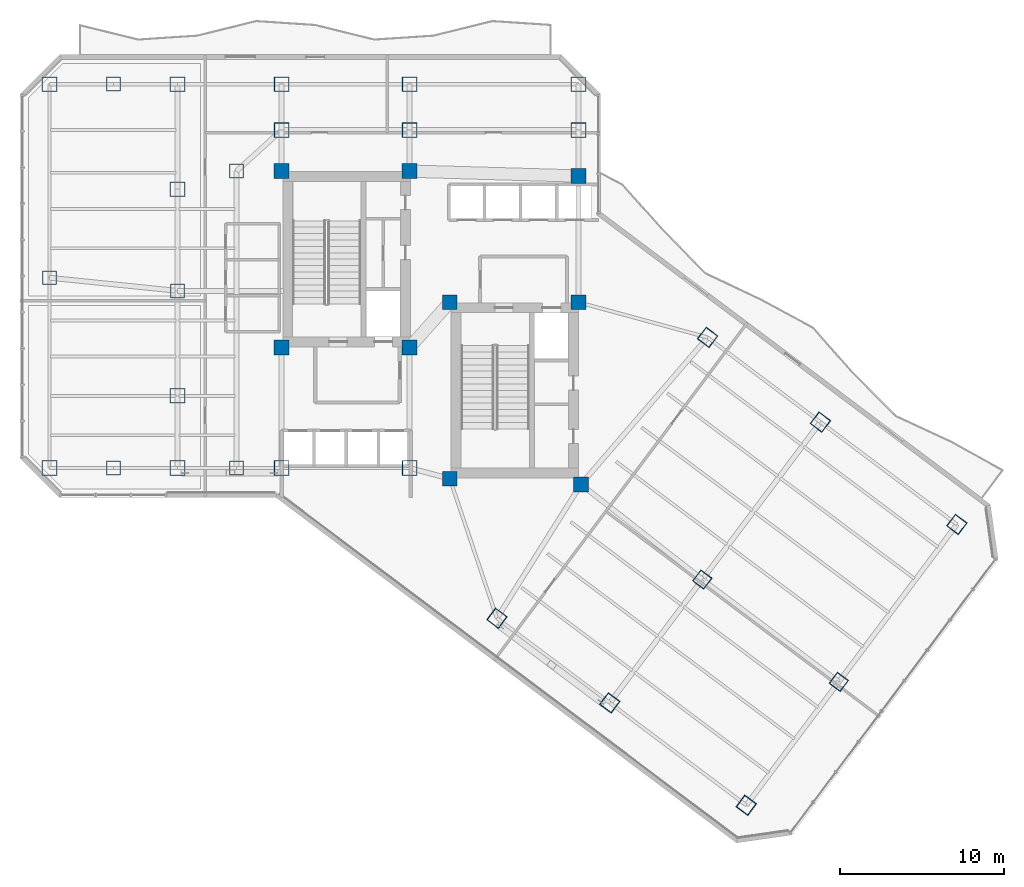
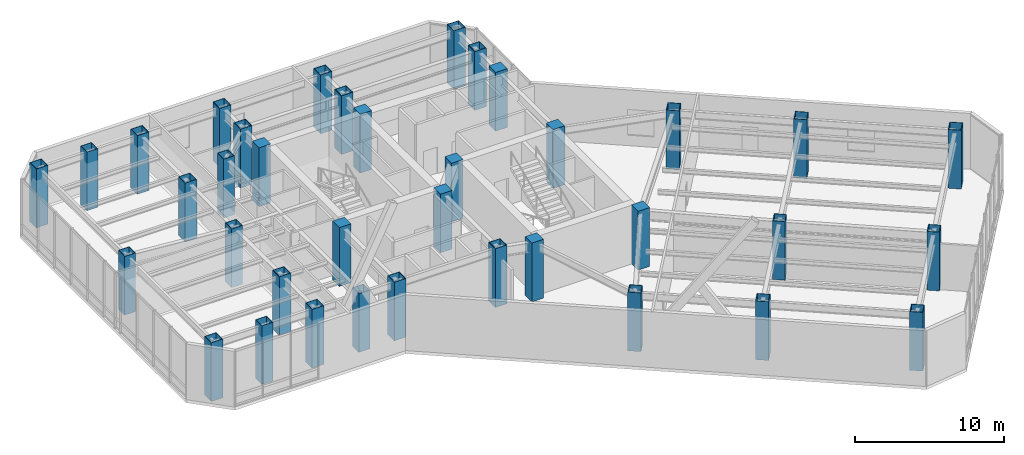
# One storey, part 1 of 27: 37 columns.
"""IFC4 building model written with IfcOpenShell, lengths in metres."""

from ifc_helpers import new_model, si_unit, direction, frame, origin, origin_2d, place, context, subcontext, project, spatial, rectangle, hollow_rectangle, extrude, material, material_profile, profile_set, type_object, element, save


model = new_model("IFC4")

# Units and contexts
model_context = context("Model", 3, precision=1e-05, world=origin(), true_north=direction((0.0, 1.0)))
body_context = subcontext(model_context, "Body", "Model", "MODEL_VIEW")
ifc_project = project(units=[si_unit("LENGTHUNIT", "METRE"), si_unit("AREAUNIT", "SQUARE_METRE"), si_unit("VOLUMEUNIT", "CUBIC_METRE"), si_unit("PLANEANGLEUNIT", "RADIAN"), si_unit("MASSUNIT", "GRAM", prefix="KILO")], contexts=[model_context])

# Site, building, storey
site_placement = place(None, origin())
site = spatial("IfcSite", under=ifc_project, at=site_placement, CompositionType="ELEMENT")
building_placement = place(site_placement, origin())
building = spatial("IfcBuilding", under=site, at=building_placement, Name="Hatsunagi Terrace Concourse", CompositionType="ELEMENT")
storey_placement = place(building_placement, frame((0.0, 0.0, 96.449951171875)))
storey = spatial("IfcBuildingStorey", under=building, at=storey_placement, Name="L25", CompositionType="ELEMENT", Elevation=96.449951171875)

# Columns
ifc_material_1 = material(Name="Concrete Fc48", Category="concrete")
ifc_material_profile_1 = material_profile(ifc_material_1, rectangle(XDim=0.89990234375, YDim=0.89990234375, at=origin_2d()), Name="RC-900x900")
ifc_profile_set_1 = profile_set([ifc_material_profile_1], Name="Concrete Fc48")
column_type_1 = type_object("IfcColumnType", Name="CoreColumn_RC_900x900", PredefinedType="COLUMN", material=ifc_profile_set_1)
for number, where, z_axis, x_axis, name in (
    (1, (25.550048828125, 32.550048828125, 0.0), (0.0, 0.0, 1.0), (1.0, 0.0, 0.0), "Column C-02 L25-CASW"),
    (2, (33.35009765625, 32.550048828125, 0.0), (0.0, 0.0, 1.0), (1.0, 0.0, 0.0), "Column C-02 L25-CASE"),
    (3, (25.550048828125, 43.300048828125, 0.0), (0.0, 0.0, 1.0), (1.0, 0.0, 0.0), "Column C-02 L25-CANW"),
    (4, (33.35009765625, 43.300048828125, 0.0), (0.0, 0.0, 1.0), (1.0, 0.0, 0.0), "Column C-02 L25-CANE"),
    (5, (35.800048828125, 24.550048828125, 0.0), (0.0, 0.0, 1.0), (1.0, 0.0, 0.0), "Column C-02 L25-CBSW"),
    (6, (43.800048828125, 24.199951171875, 0.0), (0.0, 0.0, 1.0), (1.0, 0.0, 0.0), "Column C-02 L25-CBSE"),
    (7, (35.800048828125, 35.300048828125, 0.0), (0.0, 0.0, 1.0), (1.0, 0.0, 0.0), "Column C-02 L25-CBNW"),
    (8, (43.64990234375, 35.300048828125, 0.0), (0.0, 0.0, 1.0), (1.0, 0.0, 0.0), "Column C-02 L25-CBNE"),
    (9, (43.64990234375, 43.0, 0.0), (0.0, 0.0, 1.0), (1.0, 0.0, 0.0), "Column C-02 L25-K3"),
):
    element("IfcColumn", number, at=place(storey_placement, frame(where, z_axis=z_axis, x_axis=x_axis)), inside=storey, type_object=column_type_1, Name=name, PredefinedType="COLUMN", context=body_context, shape_type="SweptSolid", body=[
        extrude(rectangle(XDim=0.89990234375, YDim=0.89990234375, at=origin_2d()), origin(), (0.0, 0.0, 1.0), 4.800048828125),
    ])
ifc_material_2 = material(Name="Steel BCP325T", Category="steel")
ifc_material_profile_2 = material_profile(ifc_material_2, hollow_rectangle(XDim=0.85009765625, YDim=0.85009765625, WallThickness=0.031982421875, at=origin_2d()), Name="BCP-850x850x32")
ifc_profile_set_2 = profile_set([ifc_material_profile_2], Name="Steel BCP325T")
column_type_2 = type_object("IfcColumnType", Name="TowerBoxColumn_850x850x32", PredefinedType="COLUMN", material=ifc_profile_set_2)
for number, where, z_axis, x_axis, name in (
    (10, (22.800048828125, 25.199951171875, 0.0), (0.0, 0.0, 1.0), (1.0, 0.0, 0.0), "Column C-05 L25-CW1"),
    (11, (22.800048828125, 43.300048828125, 0.0), (0.0, 0.0, 1.0), (1.0, 0.0, 0.0), "Column C-05 L25-CW2"),
    (12, (11.39990234375, 36.800048828125, 0.0), (0.0, 0.0, 1.0), (1.0, 0.0, 0.0), "Column C-05 L25-WT1"),
    (13, (19.199951171875, 36.0, 0.0), (0.0, 0.0, 1.0), (1.0, 0.0, 0.0), "Column C-05 L25-WT2"),
    (14, (15.300048828125, 25.199951171875, 0.0), (0.0, 0.0, 1.0), (1.0, 0.0, 0.0), "Column C-05 L25-WT3"),
    (15, (15.300048828125, 48.60009765625, 0.0), (0.0, 0.0, 1.0), (1.0, 0.0, 0.0), "Column C-05 L25-WT4"),
    (16, (51.199951171875, 18.39990234375, 0.0), (0.0, 0.0, 1.0), (0.799999996291, -0.600000004945, 0.0), "Column C-05 L25-SEM2"),
    (17, (59.52001953125, 12.159912109375, 0.0), (0.0, 0.0, 1.0), (0.799999996291, -0.600000004945, 0.0), "Column C-05 L25-SEM3"),
):
    element("IfcColumn", number, at=place(storey_placement, frame(where, z_axis=z_axis, x_axis=x_axis)), inside=storey, type_object=column_type_2, Name=name, PredefinedType="COLUMN", context=body_context, shape_type="SweptSolid", body=[
        extrude(hollow_rectangle(XDim=0.85009765625, YDim=0.85009765625, WallThickness=0.031982421875, at=origin_2d()), origin(), (0.0, 0.0, 1.0), 4.800048828125),
    ])
ifc_material_3 = material(Name="Steel BCP325T", Category="steel")
ifc_material_profile_3 = material_profile(ifc_material_3, hollow_rectangle(XDim=0.89990234375, YDim=0.89990234375, WallThickness=0.035888671875, at=origin_2d()), Name="BCP-900x900x36")
ifc_profile_set_3 = profile_set([ifc_material_profile_3], Name="Steel BCP325T")
column_type_3 = type_object("IfcColumnType", Name="TowerBoxColumn_900x900x36", PredefinedType="COLUMN", material=ifc_profile_set_3)
for number, where, z_axis, x_axis, name in (
    (18, (25.550048828125, 25.199951171875, 0.0), (0.0, 0.0, 1.0), (1.0, 0.0, 0.0), "Column C-04 L25-K1"),
    (19, (33.35009765625, 25.199951171875, 0.0), (0.0, 0.0, 1.0), (1.0, 0.0, 0.0), "Column C-04 L25-K2"),
    (20, (25.550048828125, 45.800048828125, 0.0), (0.0, 0.0, 1.0), (1.0, 0.0, 0.0), "Column C-04 L25-CN1"),
    (21, (33.35009765625, 45.800048828125, 0.0), (0.0, 0.0, 1.0), (1.0, 0.0, 0.0), "Column C-04 L25-CN2"),
    (22, (43.64990234375, 45.800048828125, 0.0), (0.0, 0.0, 1.0), (1.0, 0.0, 0.0), "Column C-04 L25-CN3"),
    (23, (11.39990234375, 25.199951171875, 0.0), (0.0, 0.0, 1.0), (1.0, 0.0, 0.0), "Column C-04 L25-WS2"),
    (24, (11.39990234375, 48.60009765625, 0.0), (0.0, 0.0, 1.0), (1.0, 0.0, 0.0), "Column C-04 L25-WN2"),
    (25, (19.199951171875, 48.60009765625, 0.0), (0.0, 0.0, 1.0), (1.0, 0.0, 0.0), "Column C-04 L25-WN3"),
    (26, (25.550048828125, 48.60009765625, 0.0), (0.0, 0.0, 1.0), (1.0, 0.0, 0.0), "Column C-04 L25-WN4"),
    (27, (33.35009765625, 48.60009765625, 0.0), (0.0, 0.0, 1.0), (1.0, 0.0, 0.0), "Column C-04 L25-WN5"),
    (28, (43.64990234375, 48.60009765625, 0.0), (0.0, 0.0, 1.0), (1.0, 0.0, 0.0), "Column C-04 L25-WN6"),
    (29, (19.199951171875, 25.199951171875, 0.0), (0.0, 0.0, 1.0), (1.0, 0.0, 0.0), "Column C-04 L25-WS3"),
    (30, (19.199951171875, 29.60009765625, 0.0), (0.0, 0.0, 1.0), (1.0, 0.0, 0.0), "Column C-04 L25-WR1"),
    (31, (19.199951171875, 42.199951171875, 0.0), (0.0, 0.0, 1.0), (1.0, 0.0, 0.0), "Column C-04 L25-WR2"),
    (32, (38.679931640625, 16.0400390625, 0.0), (0.0, 0.0, 1.0), (0.799999996291, -0.600000004945, 0.0), "Column C-04 L25-SES1"),
    (33, (51.52001953125, 33.159912109375, 0.0), (0.0, 0.0, 1.0), (0.799999996291, -0.600000004945, 0.0), "Column C-04 L25-SEN1"),
    (34, (45.56005859375, 10.8798828125, 0.0), (0.0, 0.0, 1.0), (0.799999996291, -0.600000004945, 0.0), "Column C-04 L25-SES2"),
    (35, (58.39990234375, 28.0, 0.0), (0.0, 0.0, 1.0), (0.799999996291, -0.600000004945, 0.0), "Column C-04 L25-SEN2"),
    (36, (53.8798828125, 4.639892578125, 0.0), (0.0, 0.0, 1.0), (0.799999996291, -0.600000004945, 0.0), "Column C-04 L25-SES3"),
    (37, (66.719970703125, 21.760009765625, 0.0), (0.0, 0.0, 1.0), (0.799999996291, -0.600000004945, 0.0), "Column C-04 L25-SEN3"),
):
    element("IfcColumn", number, at=place(storey_placement, frame(where, z_axis=z_axis, x_axis=x_axis)), inside=storey, type_object=column_type_3, Name=name, PredefinedType="COLUMN", context=body_context, shape_type="SweptSolid", body=[
        extrude(hollow_rectangle(XDim=0.89990234375, YDim=0.89990234375, WallThickness=0.035888671875, at=origin_2d()), origin(), (0.0, 0.0, 1.0), 4.800048828125),
    ])

save(model, "model.ifc")
